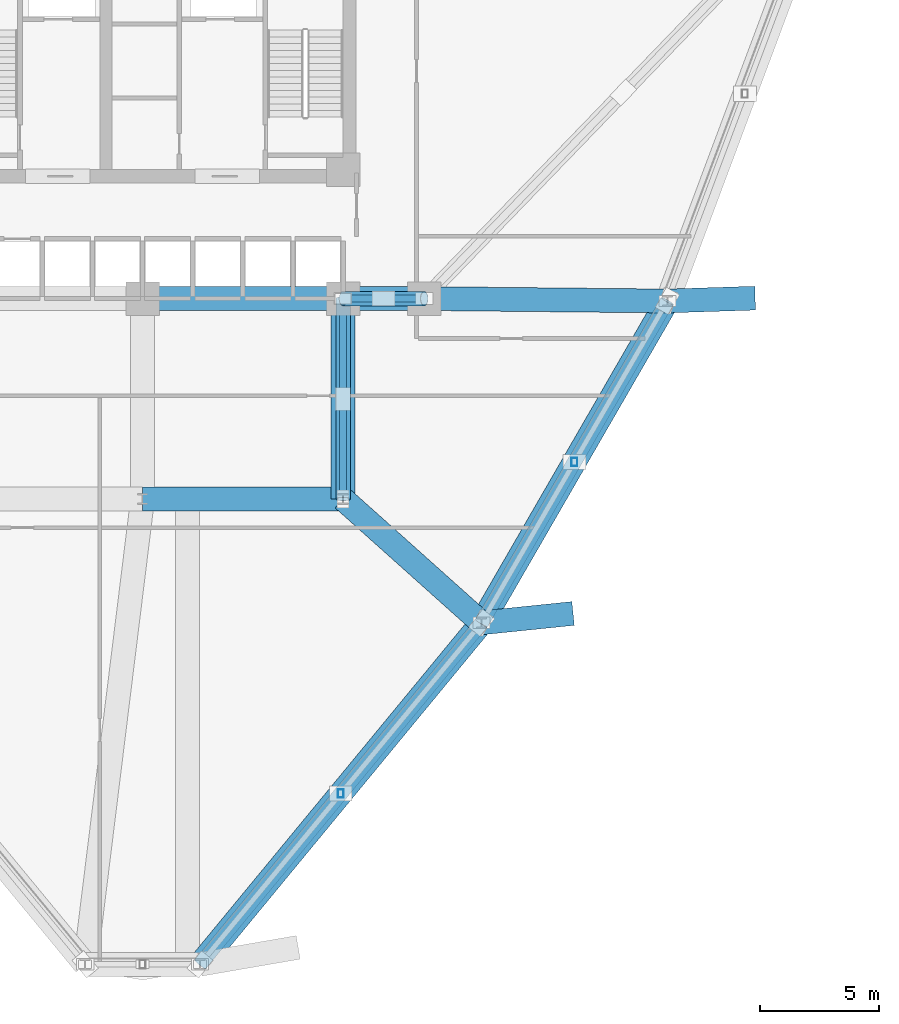
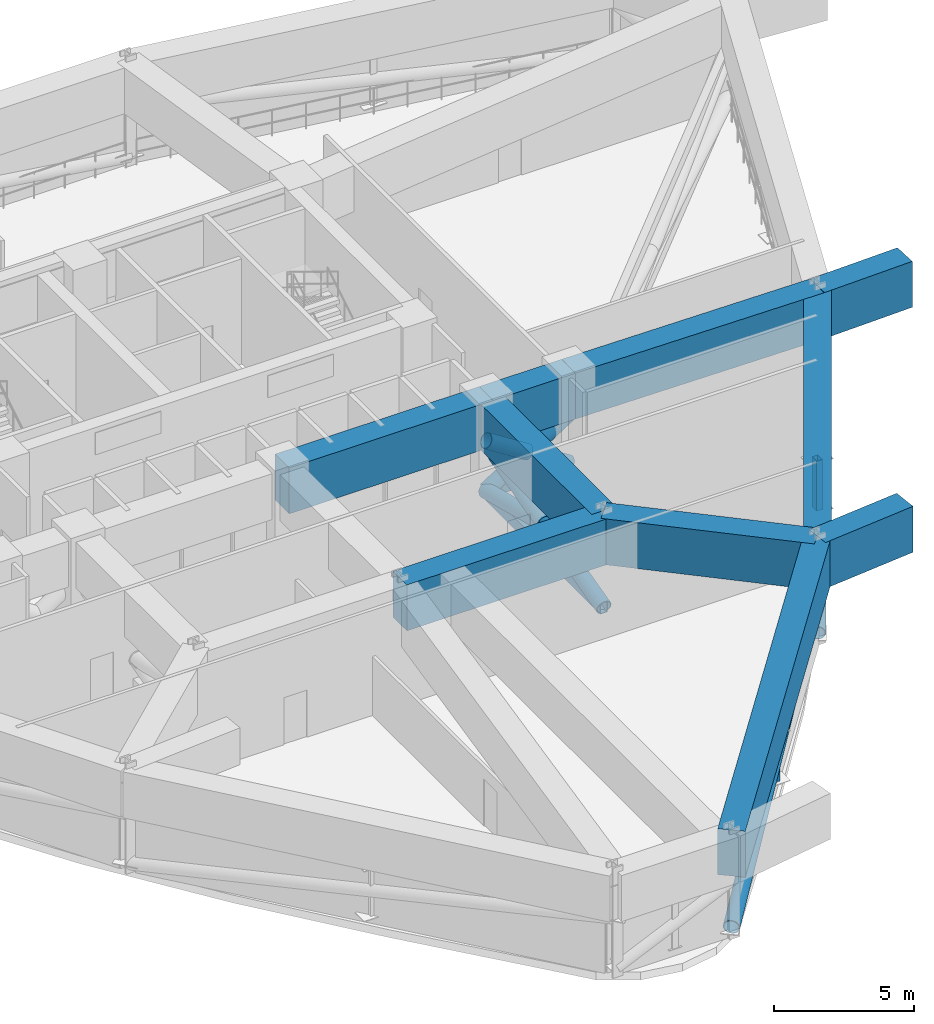
# One storey, part 3 of 12: 12 members, 10 beams.
"""IFC4 building model written with IfcOpenShell, lengths in metres."""

from ifc_helpers import new_model, si_unit, derived_unit, direction, frame, origin, origin_2d, place, context, subcontext, project, spatial, rectangle, hollow_rectangle, hollow_circle, extrude, source, transform, mapped, material, material_profile, profile_set, type_object, element, save


model = new_model("IFC4")

# Units and contexts
model_context = context("Model", 3, precision=1e-05, world=origin(), true_north=direction((0.0, 1.0)))
body_context = subcontext(model_context, "Body", "Model", "MODEL_VIEW")
ifc_project = project(units=[si_unit("LENGTHUNIT", "METRE"), si_unit("AREAUNIT", "SQUARE_METRE"), si_unit("VOLUMEUNIT", "CUBIC_METRE"), si_unit("PLANEANGLEUNIT", "RADIAN"), si_unit("MASSUNIT", "GRAM", prefix="KILO"), derived_unit("THERMALTRANSMITTANCEUNIT", [(si_unit("POWERUNIT", "WATT"), 1), (si_unit("LENGTHUNIT", "METRE"), -2), (si_unit("THERMODYNAMICTEMPERATUREUNIT", "KELVIN"), -1)])], contexts=[model_context])

# Site, building, storey
site_placement = place(None, origin())
site = spatial("IfcSite", under=ifc_project, at=site_placement, CompositionType="ELEMENT")
building_placement = place(site_placement, origin())
building = spatial("IfcBuilding", under=site, at=building_placement, Name="Korsvarv Bourse and Concert Hall", CompositionType="ELEMENT")
storey_placement = place(building_placement, frame((0.0, 0.0, 59.10009765625)))
storey = spatial("IfcBuildingStorey", under=building, at=storey_placement, Name="L14", CompositionType="ELEMENT", Elevation=59.10009765625)

# Beams
ifc_material_1 = material(Name="Concrete C60/75", Category="concrete")
ifc_material_profile_1 = material_profile(ifc_material_1, rectangle(XDim=1.0, YDim=2.0, at=origin_2d()), Name="RC-BM 1000x2000")
ifc_profile_set_1 = profile_set([ifc_material_profile_1], Name="Concrete C60/75")
beam_type = type_object("IfcBeamType", Name="BM-TR1", PredefinedType="BEAM", material=ifc_profile_set_1)
shared_shape_1 = source(origin(), body_context, "Body", "SweptSolid", [
    extrude(rectangle(XDim=1.0, YDim=2.0, at=origin_2d()), origin(), (0.0, 0.0, 1.0), 8.39990234375),
])
for number, where, z_axis, x_axis, name in (
    (1, (36.0, 32.39990234375, 3.56982421875), (1.0, 0.0, 0.0), (0.0, 1.0, 0.0), "L14 beam B-TR1"),
    (2, (36.0, 24.0, 3.56982421875), (1.0, 0.0, 0.0), (0.0, 1.0, 0.0), "L14 beam B-TR1"),
    (3, (44.39990234375, 24.0, 3.56982421875), (0.0, 1.0, 0.0), (-1.0, 0.0, 0.0), "L14 beam B-TR1"),
):
    element("IfcBeam", number, at=place(storey_placement, frame(where, z_axis=z_axis, x_axis=x_axis)), inside=storey, type_object=beam_type, Name=name, PredefinedType="BEAM", context=body_context, shape_type="MappedRepresentation", body=[
        mapped(shared_shape_1, transform((0.0, 0.0, 0.0), scale=1.0)),
    ])
shared_shape_2 = source(origin(), body_context, "Body", "SweptSolid", [
    extrude(rectangle(XDim=1.0, YDim=2.0, at=origin_2d()), origin(), (0.0, 0.0, 1.0), 3.400146484375),
])
beam_1_placement = place(storey_placement, frame((44.39990234375, 32.39990234375, 3.56982421875), z_axis=(1.0, 0.0, 0.0), x_axis=(0.0, 1.0, 0.0)))
element("IfcBeam", 4, at=beam_1_placement, inside=storey, type_object=beam_type, Name="L14 beam B-TR1", PredefinedType="BEAM", context=body_context, shape_type="MappedRepresentation", body=[
    mapped(shared_shape_2, transform((0.0, 0.0, 0.0), scale=1.0)),
])
shared_shape_3 = source(origin(), body_context, "Body", "SweptSolid", [
    extrude(rectangle(XDim=1.0, YDim=2.0, at=origin_2d()), origin(), (0.0, 0.0, 1.0), 15.569580078125),
])
beam_2_placement = place(storey_placement, frame((50.198486328125, 18.8134765625, 3.56982421875), z_axis=(0.499994378262, 0.866028649472, 0.0), x_axis=(-0.866028649472, 0.499994378262, 0.0)))
element("IfcBeam", 5, at=beam_2_placement, inside=storey, type_object=beam_type, Name="L14 beam B-TR1", PredefinedType="BEAM", context=body_context, shape_type="MappedRepresentation", body=[
    mapped(shared_shape_3, transform((0.0, 0.0, 0.0), scale=1.0)),
])
shared_shape_4 = source(origin(), body_context, "Body", "SweptSolid", [
    extrude(rectangle(XDim=1.0, YDim=2.0, at=origin_2d()), origin(), (0.0, 0.0, 1.0), 18.5390625),
])
beam_3_placement = place(storey_placement, frame((38.4052734375, 4.509033203125, 3.56982421875), z_axis=(0.636127669923, 0.771583817585, 0.0), x_axis=(-0.771583817585, 0.636127669923, 0.0)))
element("IfcBeam", 6, at=beam_3_placement, inside=storey, type_object=beam_type, Name="L14 beam B-TR1", PredefinedType="BEAM", context=body_context, shape_type="MappedRepresentation", body=[
    mapped(shared_shape_4, transform((0.0, 0.0, 0.0), scale=1.0)),
])
shared_shape_5 = source(origin(), body_context, "Body", "SweptSolid", [
    extrude(rectangle(XDim=1.0, YDim=2.0, at=origin_2d()), origin(), (0.0, 0.0, 1.0), 10.18359375),
])
beam_4_placement = place(storey_placement, frame((57.983154296875, 32.297119140625, 3.56982421875), z_axis=(-0.999949064493, 0.010092988639, 0.0), x_axis=(-0.010092988639, -0.999949064493, 0.0)))
element("IfcBeam", 7, at=beam_4_placement, inside=storey, type_object=beam_type, Name="L14 beam B-TR1", PredefinedType="BEAM", context=body_context, shape_type="MappedRepresentation", body=[
    mapped(shared_shape_5, transform((0.0, 0.0, 0.0), scale=1.0)),
])
shared_shape_6 = source(origin(), body_context, "Body", "SweptSolid", [
    extrude(rectangle(XDim=1.0, YDim=2.0, at=origin_2d()), origin(), (0.0, 0.0, 1.0), 7.77978515625),
])
beam_5_placement = place(storey_placement, frame((50.198486328125, 18.8134765625, 3.56982421875), z_axis=(-0.745348822667, 0.666674682697, 0.0), x_axis=(-0.666674682697, -0.745348822667, 0.0)))
element("IfcBeam", 8, at=beam_5_placement, inside=storey, type_object=beam_type, Name="L14 beam B-TR1", PredefinedType="BEAM", context=body_context, shape_type="MappedRepresentation", body=[
    mapped(shared_shape_6, transform((0.0, 0.0, 0.0), scale=1.0)),
])
shared_shape_7 = source(origin(), body_context, "Body", "SweptSolid", [
    extrude(rectangle(XDim=1.0, YDim=2.0, at=origin_2d()), origin(), (0.0, 0.0, 1.0), 3.85498046875),
])
beam_6_placement = place(storey_placement, frame((50.198486328125, 18.8134765625, 3.56982421875), z_axis=(0.99478193304, 0.102024044699, 0.0), x_axis=(-0.102024044699, 0.99478193304, 0.0)))
element("IfcBeam", 9, at=beam_6_placement, inside=storey, type_object=beam_type, Name="L14 Block-Shift Transfer Girder 11", PredefinedType="BEAM", context=body_context, shape_type="MappedRepresentation", body=[
    mapped(shared_shape_7, transform((0.0, 0.0, 0.0), scale=1.0)),
])
shared_shape_8 = source(origin(), body_context, "Body", "SweptSolid", [
    extrude(rectangle(XDim=1.0, YDim=2.0, at=origin_2d()), origin(), (0.0, 0.0, 1.0), 3.678955078125),
])
beam_7_placement = place(storey_placement, frame((57.983154296875, 32.297119140625, 3.56982421875), z_axis=(0.99947333203, 0.032450863778, 0.0), x_axis=(-0.032450863778, 0.99947333203, 0.0)))
element("IfcBeam", 10, at=beam_7_placement, inside=storey, type_object=beam_type, Name="L14 Block-Shift Transfer Girder 12", PredefinedType="BEAM", context=body_context, shape_type="MappedRepresentation", body=[
    mapped(shared_shape_8, transform((0.0, 0.0, 0.0), scale=1.0)),
])

# Members
ifc_material_2 = material(Name="Steel S460", Category="steel")
ifc_material_profile_2 = material_profile(ifc_material_2, hollow_rectangle(XDim=0.300048828125, YDim=0.5, WallThickness=0.02001953125, at=origin_2d()), Name="RHS 500x300x20")
ifc_profile_set_2 = profile_set([ifc_material_profile_2], Name="Steel S460")
member_type_1 = type_object("IfcMemberType", Name="MEM-RHS500", PredefinedType="CHORD", material=ifc_profile_set_2)
shared_shape_9 = source(origin(), body_context, "Body", "SweptSolid", [
    extrude(hollow_rectangle(XDim=0.300048828125, YDim=0.5, WallThickness=0.02001953125, at=origin_2d()), origin(), (0.0, 0.0, 1.0), 3.400146484375),
])
member_1_placement = place(storey_placement, frame((44.39990234375, 32.39990234375, 0.349853515625), z_axis=(1.0, 0.0, 0.0), x_axis=(0.0, 1.0, 0.0)))
element("IfcMember", 11, at=member_1_placement, inside=storey, type_object=member_type_1, Name="L14 Outrigger Truss E1 Bottom Chord", PredefinedType="CHORD", context=body_context, shape_type="MappedRepresentation", body=[
    mapped(shared_shape_9, transform((0.0, 0.0, 0.0), scale=1.0)),
])
ifc_material_profile_3 = material_profile(ifc_material_2, hollow_circle(Radius=0.304931640625, WallThickness=0.02490234375, at=origin_2d()), Name="CHS 610x25")
ifc_profile_set_3 = profile_set([ifc_material_profile_3], Name="Steel S460")
member_type_2 = type_object("IfcMemberType", Name="MEM-CHS610", PredefinedType="BRACE", material=ifc_profile_set_3)
shared_shape_10 = source(origin(), body_context, "Body", "SweptSolid", [
    extrude(hollow_circle(Radius=0.304931640625, WallThickness=0.02490234375, at=origin_2d()), origin(), (0.0, 0.0, 1.0), 4.03369140625),
])
member_2_placement = place(storey_placement, frame((44.39990234375, 32.39990234375, 0.349853515625), z_axis=(0.84293797815, 0.0, 0.538010748027), x_axis=(0.0, 1.0, 0.0)))
element("IfcMember", 12, at=member_2_placement, inside=storey, type_object=member_type_2, Name="L14 Outrigger Truss E1 Diagonal 1", PredefinedType="BRACE", context=body_context, shape_type="MappedRepresentation", body=[
    mapped(shared_shape_10, transform((0.0, 0.0, 0.0), scale=1.0)),
])
shared_shape_11 = source(origin(), body_context, "Body", "SweptSolid", [
    extrude(hollow_circle(Radius=0.304931640625, WallThickness=0.02490234375, at=origin_2d()), origin(), (0.0, 0.0, 1.0), 2.0166015625),
])
member_3_placement = place(storey_placement, frame((47.800048828125, 32.39990234375, 0.349853515625), z_axis=(-0.842947908287, 0.0, 0.537995189491), x_axis=(0.0, -1.0, 0.0)))
element("IfcMember", 13, at=member_3_placement, inside=storey, type_object=member_type_2, Name="L14 Outrigger Truss E1 Split Diagonal 2A", PredefinedType="BRACE", context=body_context, shape_type="MappedRepresentation", body=[
    mapped(shared_shape_11, transform((0.0, 0.0, 0.0), scale=1.0)),
])
shared_shape_12 = source(origin(), body_context, "Body", "SweptSolid", [
    extrude(hollow_circle(Radius=0.304931640625, WallThickness=0.02490234375, at=origin_2d()), origin(), (0.0, 0.0, 1.0), 2.01708984375),
])
member_4_placement = place(storey_placement, frame((46.10009765625, 32.39990234375, 1.434814453125), z_axis=(-0.842928049386, 0.0, 0.538026303779), x_axis=(0.0, -1.0, 0.0)))
element("IfcMember", 14, at=member_4_placement, inside=storey, type_object=member_type_2, Name="L14 Outrigger Truss E1 Split Diagonal 2B", PredefinedType="BRACE", context=body_context, shape_type="MappedRepresentation", body=[
    mapped(shared_shape_12, transform((0.0, 0.0, 0.0), scale=1.0)),
])
shared_shape_13 = source(origin(), body_context, "Body", "SweptSolid", [
    extrude(hollow_rectangle(XDim=0.300048828125, YDim=0.5, WallThickness=0.02001953125, at=origin_2d()), origin(), (0.0, 0.0, 1.0), 8.39990234375),
])
member_5_placement = place(storey_placement, frame((44.39990234375, 32.39990234375, 0.349853515625), z_axis=(0.0, -1.0, 0.0), x_axis=(1.0, 0.0, 0.0)))
element("IfcMember", 15, at=member_5_placement, inside=storey, type_object=member_type_1, Name="L14 Outrigger Truss S2 Bottom Chord", PredefinedType="CHORD", context=body_context, shape_type="MappedRepresentation", body=[
    mapped(shared_shape_13, transform((0.0, 0.0, 0.0), scale=1.0)),
])
shared_shape_14 = source(origin(), body_context, "Body", "SweptSolid", [
    extrude(hollow_circle(Radius=0.304931640625, WallThickness=0.02490234375, at=origin_2d()), origin(), (0.0, 0.0, 1.0), 8.67578125),
])
member_6_placement = place(storey_placement, frame((44.39990234375, 32.39990234375, 0.349853515625), z_axis=(0.0, -0.968208981126, 0.250142697007), x_axis=(1.0, 0.0, 0.0)))
element("IfcMember", 16, at=member_6_placement, inside=storey, type_object=member_type_2, Name="L14 Outrigger Truss S2 Diagonal 1", PredefinedType="BRACE", context=body_context, shape_type="MappedRepresentation", body=[
    mapped(shared_shape_14, transform((0.0, 0.0, 0.0), scale=1.0)),
])
shared_shape_15 = source(origin(), body_context, "Body", "SweptSolid", [
    extrude(hollow_circle(Radius=0.304931640625, WallThickness=0.02490234375, at=origin_2d()), origin(), (0.0, 0.0, 1.0), 4.337890625),
])
for number, where, z_axis, x_axis, name in (
    (17, (44.39990234375, 24.0, 0.349853515625), (0.0, 0.968215796223, 0.250116316829), (-1.0, 0.0, 0.0), "L14 Outrigger Truss S2 Split Diagonal 2A"),
    (18, (44.39990234375, 28.199951171875, 1.434814453125), (0.0, 0.968202165407, 0.250169076628), (-1.0, 0.0, 0.0), "L14 Outrigger Truss S2 Split Diagonal 2B"),
):
    element("IfcMember", number, at=place(storey_placement, frame(where, z_axis=z_axis, x_axis=x_axis)), inside=storey, type_object=member_type_2, Name=name, PredefinedType="BRACE", context=body_context, shape_type="MappedRepresentation", body=[
        mapped(shared_shape_15, transform((0.0, 0.0, 0.0), scale=1.0)),
    ])
ifc_material_3 = material(Name="Steel S355", Category="steel")
ifc_material_profile_4 = material_profile(ifc_material_3, hollow_rectangle(XDim=0.25, YDim=0.35009765625, WallThickness=0.012451171875, at=origin_2d()), Name="RHS 350x250x12.5")
ifc_profile_set_4 = profile_set([ifc_material_profile_4], Name="Steel S355")
member_type_3 = type_object("IfcMemberType", Name="MEM-RHS350", PredefinedType="STRUT", material=ifc_profile_set_4)
shared_shape_16 = source(origin(), body_context, "Body", "SweptSolid", [
    extrude(hollow_rectangle(XDim=0.25, YDim=0.35009765625, WallThickness=0.012451171875, at=origin_2d()), origin(), (0.0, 0.0, 1.0), 2.170166015625),
])
for number, where, z_axis, x_axis, name in (
    (19, (44.302001953125, 11.661376953125, 0.349853515625), (0.0, 0.0, 1.0), (1.0, 0.0, 0.0), "L14 Perimeter Belt Truss Strut 10"),
    (20, (54.0908203125, 25.555419921875, 0.349853515625), (0.0, 0.0, 1.0), (1.0, 0.0, 0.0), "L14 Perimeter Belt Truss Strut 11"),
):
    element("IfcMember", number, at=place(storey_placement, frame(where, z_axis=z_axis, x_axis=x_axis)), inside=storey, type_object=member_type_3, Name=name, PredefinedType="STRUT", context=body_context, shape_type="MappedRepresentation", body=[
        mapped(shared_shape_16, transform((0.0, 0.0, 0.0), scale=1.0)),
    ])
shared_shape_17 = source(origin(), body_context, "Body", "SweptSolid", [
    extrude(hollow_circle(Radius=0.304931640625, WallThickness=0.02490234375, at=origin_2d()), origin(), (0.0, 0.0, 1.0), 15.719970703125),
])
member_7_placement = place(storey_placement, frame((50.198486328125, 18.8134765625, 0.349853515625), z_axis=(0.495206991207, 0.857736527547, 0.138051023798), x_axis=(-0.866028649472, 0.499994378262, 0.0)))
element("IfcMember", 21, at=member_7_placement, inside=storey, type_object=member_type_2, Name="L14 Perimeter Belt Truss Diagonal 11", PredefinedType="BRACE", context=body_context, shape_type="MappedRepresentation", body=[
    mapped(shared_shape_17, transform((0.0, 0.0, 0.0), scale=1.0)),
])
shared_shape_18 = source(origin(), body_context, "Body", "SweptSolid", [
    extrude(hollow_circle(Radius=0.304931640625, WallThickness=0.02490234375, at=origin_2d()), origin(), (0.0, 0.0, 1.0), 18.665771484375),
])
member_8_placement = place(storey_placement, frame((38.4052734375, 4.509033203125, 0.349853515625), z_axis=(0.631813581955, 0.766351093683, 0.116265209192), x_axis=(-0.771583817585, 0.636127669923, 0.0)))
element("IfcMember", 22, at=member_8_placement, inside=storey, type_object=member_type_2, Name="L14 Perimeter Belt Truss Diagonal 10", PredefinedType="BRACE", context=body_context, shape_type="MappedRepresentation", body=[
    mapped(shared_shape_18, transform((0.0, 0.0, 0.0), scale=1.0)),
])

save(model, "model.ifc")
